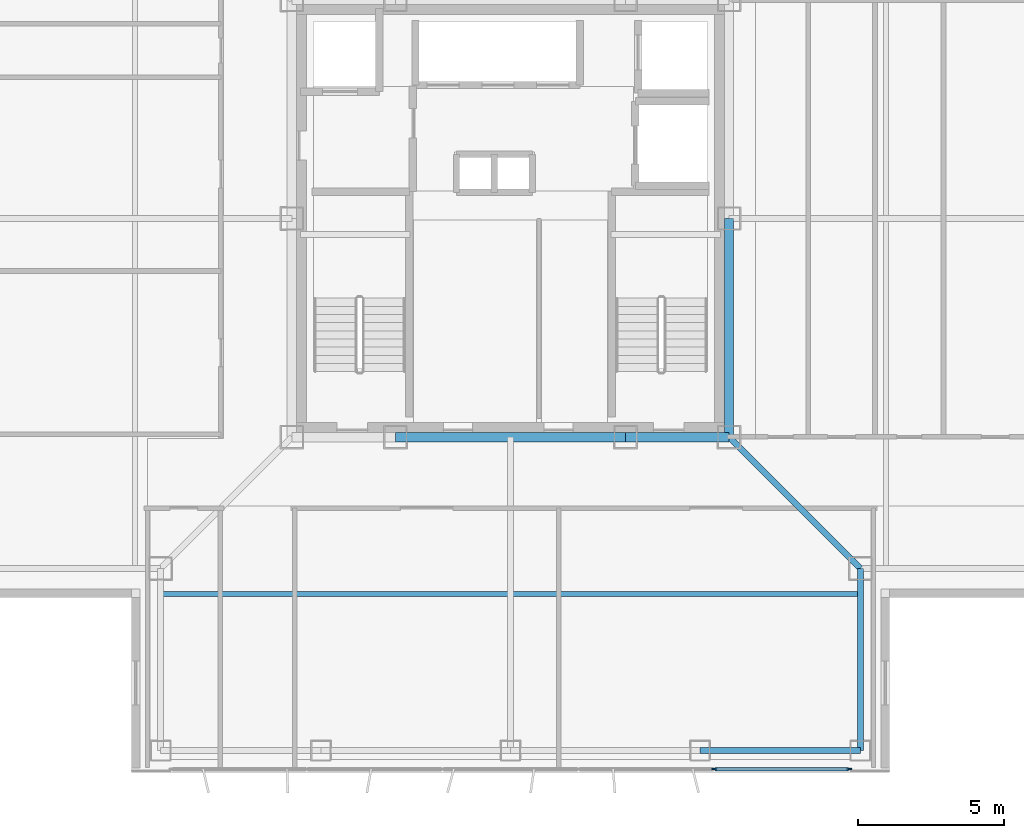
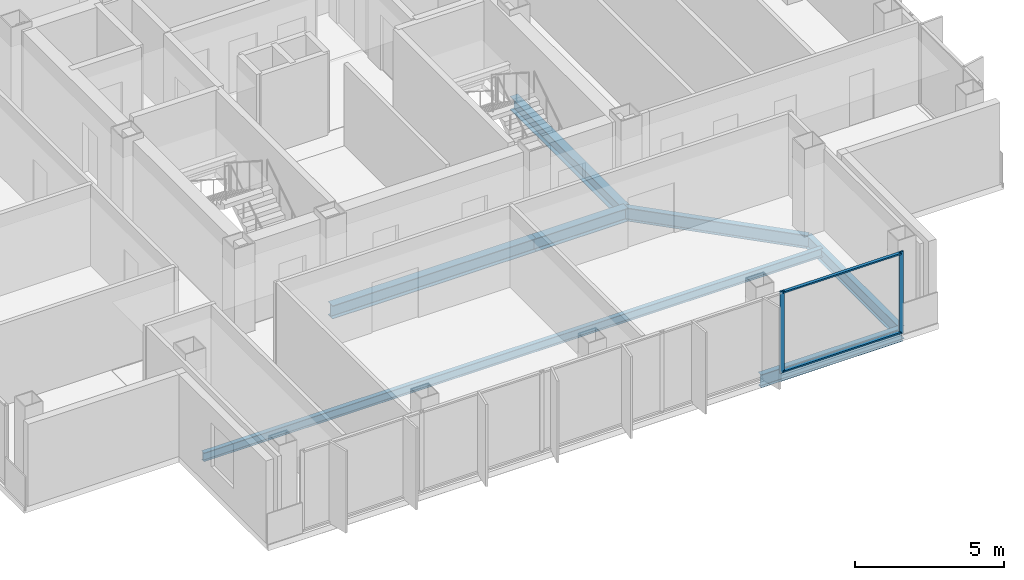
# One storey, part 3 of 15: 7 beams, 4 members, 1 element without a shape of its own.
"""IFC4 building model written with IfcOpenShell, lengths in metres."""

from ifc_helpers import new_model, si_unit, direction, frame, origin, origin_2d, place, context, subcontext, project, spatial, rectangle, i_section, extrude, material, layer, layer_set, material_profile, profile_set, type_object, element, aggregate, save


model = new_model("IFC4")

# Units and contexts
model_context = context("Model", 3, precision=1e-05, world=origin(), true_north=direction((0.0, 1.0)))
body_context = subcontext(model_context, "Body", "Model", "MODEL_VIEW")
ifc_project = project(units=[si_unit("LENGTHUNIT", "METRE"), si_unit("AREAUNIT", "SQUARE_METRE"), si_unit("VOLUMEUNIT", "CUBIC_METRE"), si_unit("PLANEANGLEUNIT", "RADIAN"), si_unit("MASSUNIT", "GRAM", prefix="KILO")], contexts=[model_context])

# Site, building, storey
site_placement = place(None, origin())
site = spatial("IfcSite", under=ifc_project, at=site_placement, CompositionType="ELEMENT")
building_placement = place(site_placement, origin())
building = spatial("IfcBuilding", under=site, at=building_placement, Name="Trevonay Congress Spire", CompositionType="ELEMENT")
storey_placement = place(building_placement, frame((0.0, 0.0, 282.800048828125)))
storey = spatial("IfcBuildingStorey", under=building, at=storey_placement, Name="L74", CompositionType="ELEMENT", Elevation=282.800048828125)

# Beams
ifc_material_1 = material(Name="Steel ASTM A572 Grade 50", Category="steel")
ifc_material_profile_1 = material_profile(ifc_material_1, i_section(OverallWidth=0.2119140625, OverallDepth=0.5439453125, WebThickness=0.01318359375, FlangeThickness=0.021240234375, FilletRadius=0.014892578125, at=origin_2d()), Name="W530x123")
ifc_profile_set_1 = profile_set([ifc_material_profile_1], Name="Steel ASTM A572 Grade 50")
beam_type_1 = type_object("IfcBeamType", Name="BM-GIRD-W530X123", PredefinedType="BEAM", material=ifc_profile_set_1)
beam_1_placement = place(storey_placement, frame((7.5, -7.5, -0.511962890625), z_axis=(0.707106781187, -0.707106781187, 0.0), x_axis=(0.707106781187, 0.707106781187, 0.0)))
element("IfcBeam", 1, at=beam_1_placement, inside=storey, type_object=beam_type_1, Name="L74 structural beam BM-L74-CDSE", PredefinedType="BEAM", context=body_context, shape_type="SweptSolid", body=[
    extrude(i_section(OverallWidth=0.2119140625, OverallDepth=0.5439453125, WebThickness=0.01318359375, FlangeThickness=0.021240234375, FilletRadius=0.014892578125, at=origin_2d()), origin(), (0.0, 0.0, 1.0), 6.364013671875),
])
ifc_material_profile_2 = material_profile(ifc_material_1, i_section(OverallWidth=0.31201171875, OverallDepth=0.54296875, WebThickness=0.0126953125, FlangeThickness=0.020263671875, FilletRadius=0.014892578125, at=origin_2d()), Name="W530x150")
ifc_profile_set_2 = profile_set([ifc_material_profile_2], Name="Steel ASTM A572 Grade 50")
beam_type_2 = type_object("IfcBeamType", Name="BM-GIRD-W530X150", PredefinedType="BEAM", material=ifc_profile_set_2)
beam_2_placement = place(storey_placement, frame((-3.949951171875, -7.5, -0.511474609375), z_axis=(1.0, 0.0, 0.0), x_axis=(0.0, 1.0, 0.0)))
element("IfcBeam", 2, at=beam_2_placement, inside=storey, type_object=beam_type_2, Name="L74 structural beam BM-L74-CR-S2", PredefinedType="BEAM", context=body_context, shape_type="SweptSolid", body=[
    extrude(i_section(OverallWidth=0.31201171875, OverallDepth=0.54296875, WebThickness=0.0126953125, FlangeThickness=0.020263671875, FilletRadius=0.014892578125, at=origin_2d()), origin(), (0.0, 0.0, 1.0), 7.89990234375),
])
beam_3_placement = place(storey_placement, frame((3.949951171875, -7.5, -0.511474609375), z_axis=(1.0, 0.0, 0.0), x_axis=(0.0, 1.0, 0.0)))
element("IfcBeam", 3, at=beam_3_placement, inside=storey, type_object=beam_type_2, Name="L74 structural beam BM-L74-CR-S3", PredefinedType="BEAM", context=body_context, shape_type="SweptSolid", body=[
    extrude(i_section(OverallWidth=0.31201171875, OverallDepth=0.54296875, WebThickness=0.0126953125, FlangeThickness=0.020263671875, FilletRadius=0.014892578125, at=origin_2d()), origin(), (0.0, 0.0, 1.0), 3.550048828125),
])
beam_4_placement = place(storey_placement, frame((7.5, -7.5, -0.511474609375), z_axis=(0.0, 1.0, 0.0), x_axis=(-1.0, 0.0, 0.0)))
element("IfcBeam", 4, at=beam_4_placement, inside=storey, type_object=beam_type_2, Name="L74 structural beam BM-L74-CR-E1", PredefinedType="BEAM", context=body_context, shape_type="SweptSolid", body=[
    extrude(i_section(OverallWidth=0.31201171875, OverallDepth=0.54296875, WebThickness=0.0126953125, FlangeThickness=0.020263671875, FilletRadius=0.014892578125, at=origin_2d()), origin(), (0.0, 0.0, 1.0), 7.5),
])
ifc_material_profile_3 = material_profile(ifc_material_1, i_section(OverallWidth=0.208984375, OverallDepth=0.532958984375, WebThickness=0.01025390625, FlangeThickness=0.015625, FilletRadius=0.014892578125, at=origin_2d()), Name="W530x92")
ifc_profile_set_3 = profile_set([ifc_material_profile_3], Name="Steel ASTM A572 Grade 50")
beam_type_3 = type_object("IfcBeamType", Name="BM-RING-W530X92", PredefinedType="BEAM", material=ifc_profile_set_3)
beam_5_placement = place(storey_placement, frame((6.5, -18.25, -0.506591796875), z_axis=(1.0, 0.0, 0.0), x_axis=(0.0, 1.0, 0.0)))
element("IfcBeam", 5, at=beam_5_placement, inside=storey, type_object=beam_type_3, Name="L74 structural beam BM-L74-PS4", PredefinedType="BEAM", context=body_context, shape_type="SweptSolid", body=[
    extrude(i_section(OverallWidth=0.208984375, OverallDepth=0.532958984375, WebThickness=0.01025390625, FlangeThickness=0.015625, FilletRadius=0.014892578125, at=origin_2d()), origin(), (0.0, 0.0, 1.0), 5.5),
])
beam_6_placement = place(storey_placement, frame((12.0, -18.25, -0.506591796875), z_axis=(0.0, 1.0, 0.0), x_axis=(-1.0, 0.0, 0.0)))
element("IfcBeam", 6, at=beam_6_placement, inside=storey, type_object=beam_type_3, Name="L74 structural beam BM-L74-N1SE", PredefinedType="BEAM", context=body_context, shape_type="SweptSolid", body=[
    extrude(i_section(OverallWidth=0.208984375, OverallDepth=0.532958984375, WebThickness=0.01025390625, FlangeThickness=0.015625, FilletRadius=0.014892578125, at=origin_2d()), origin(), (0.0, 0.0, 1.0), 6.25),
])

# Curtain wall, members
ifc_material_2 = material(Name="Pale Anodised Aluminium EN AW-6063-T6", Category="aluminium")
ifc_layer = layer(ifc_material_2, 0.1650390625, Name="Pale Anodised Aluminium EN AW-6063-T6")
ifc_layer_set = layer_set([ifc_layer], Name="Pale Anodised Aluminium EN AW-6063-T6")
curtain_wall_type = type_object("IfcCurtainWallType", Name="CW-SYS05-DIPLOM-PALE-METAL", PredefinedType="NOTDEFINED", material=ifc_layer_set)
curtain_wall_placement = place(storey_placement, origin())
curtain_wall = element("IfcCurtainWall", 7, at=curtain_wall_placement, inside=storey, type_object=curtain_wall_type, Name="L74 S unitised curtain wall", PredefinedType="NOTDEFINED")
ifc_material_profile_4 = material_profile(ifc_material_2, rectangle(XDim=0.06005859375, YDim=0.159912109375, at=origin_2d()), Name="CW-MULLION-160-ALUMINIUM")
ifc_profile_set_4 = profile_set([ifc_material_profile_4], Name="Pale Anodised Aluminium EN AW-6063-T6")
member_type_1 = type_object("IfcMemberType", Name="CW-MULLION-160-ALUMINIUM", PredefinedType="MULLION", material=ifc_profile_set_4)
member_1_placement = place(storey_placement, frame((6.989990234375, -18.8798828125, 0.0), z_axis=(0.0, 0.0, 1.0), x_axis=(0.0, 1.0, 0.0)))
member_1 = element("IfcMember", 8, at=member_1_placement, type_object=member_type_1, Name="CW05 mullion 5", PredefinedType="MULLION", context=body_context, shape_type="SweptSolid", body=[
    extrude(rectangle(XDim=0.06005859375, YDim=0.159912109375, at=origin_2d()), origin(), (0.0, 0.0, 1.0), 3.35986328125),
])
member_2_placement = place(storey_placement, frame((11.6201171875, -18.8798828125, 0.0), z_axis=(0.0, 0.0, 1.0), x_axis=(0.0, 1.0, 0.0)))
member_2 = element("IfcMember", 9, at=member_2_placement, type_object=member_type_1, Name="CW05 mullion 6", PredefinedType="MULLION", context=body_context, shape_type="SweptSolid", body=[
    extrude(rectangle(XDim=0.06005859375, YDim=0.159912109375, at=origin_2d()), origin(), (0.0, 0.0, 1.0), 3.35986328125),
])
ifc_material_profile_5 = material_profile(ifc_material_2, rectangle(XDim=0.1201171875, YDim=0.06005859375, at=origin_2d()), Name="CW-TRANSOM-120-ALUMINIUM")
ifc_profile_set_5 = profile_set([ifc_material_profile_5], Name="Pale Anodised Aluminium EN AW-6063-T6")
member_type_2 = type_object("IfcMemberType", Name="CW-TRANSOM-120-ALUMINIUM", PredefinedType="USERDEFINED", material=ifc_profile_set_5)
member_3_placement = place(storey_placement, frame((7.02001953125, -18.8798828125, 0.06005859375), z_axis=(1.0, 0.0, 0.0), x_axis=(0.0, 1.0, 0.0)))
member_3 = element("IfcMember", 10, at=member_3_placement, type_object=member_type_2, Name="CW05 transom 5.1", ObjectType="TRANSOM", PredefinedType="USERDEFINED", context=body_context, shape_type="SweptSolid", body=[
    extrude(rectangle(XDim=0.1201171875, YDim=0.06005859375, at=origin_2d()), origin(), (0.0, 0.0, 1.0), 4.570068359375),
])
member_4_placement = place(storey_placement, frame((7.02001953125, -18.8798828125, 3.300048828125), z_axis=(1.0, 0.0, 0.0), x_axis=(0.0, 1.0, 0.0)))
member_4 = element("IfcMember", 11, at=member_4_placement, type_object=member_type_2, Name="CW05 transom 5.2", ObjectType="TRANSOM", PredefinedType="USERDEFINED", context=body_context, shape_type="SweptSolid", body=[
    extrude(rectangle(XDim=0.1201171875, YDim=0.06005859375, at=origin_2d()), origin(), (0.0, 0.0, 1.0), 4.570068359375),
])
aggregate(curtain_wall, [member_1, member_2, member_3, member_4])

# Beam
ifc_material_profile_6 = material_profile(ifc_material_1, i_section(OverallWidth=0.172119140625, OverallDepth=0.35791015625, WebThickness=0.0078125, FlangeThickness=0.01318359375, FilletRadius=0.011962890625, at=origin_2d()), Name="W360x57.8")
ifc_profile_set_6 = profile_set([ifc_material_profile_6], Name="Steel ASTM A572 Grade 50")
beam_type_4 = type_object("IfcBeamType", Name="JS-COMP-W360X57", PredefinedType="JOIST", material=ifc_profile_set_6)
beam_7_placement = place(storey_placement, frame((-12.0, -12.875, -0.4189453125), z_axis=(1.0, 0.0, 0.0), x_axis=(0.0, 1.0, 0.0)))
element("IfcBeam", 12, at=beam_7_placement, inside=storey, type_object=beam_type_4, Name="L74 structural beam JS-L74-RING-S", PredefinedType="JOIST", context=body_context, shape_type="SweptSolid", body=[
    extrude(i_section(OverallWidth=0.172119140625, OverallDepth=0.35791015625, WebThickness=0.0078125, FlangeThickness=0.01318359375, FilletRadius=0.011962890625, at=origin_2d()), origin(), (0.0, 0.0, 1.0), 24.0),
])

save(model, "model.ifc")
